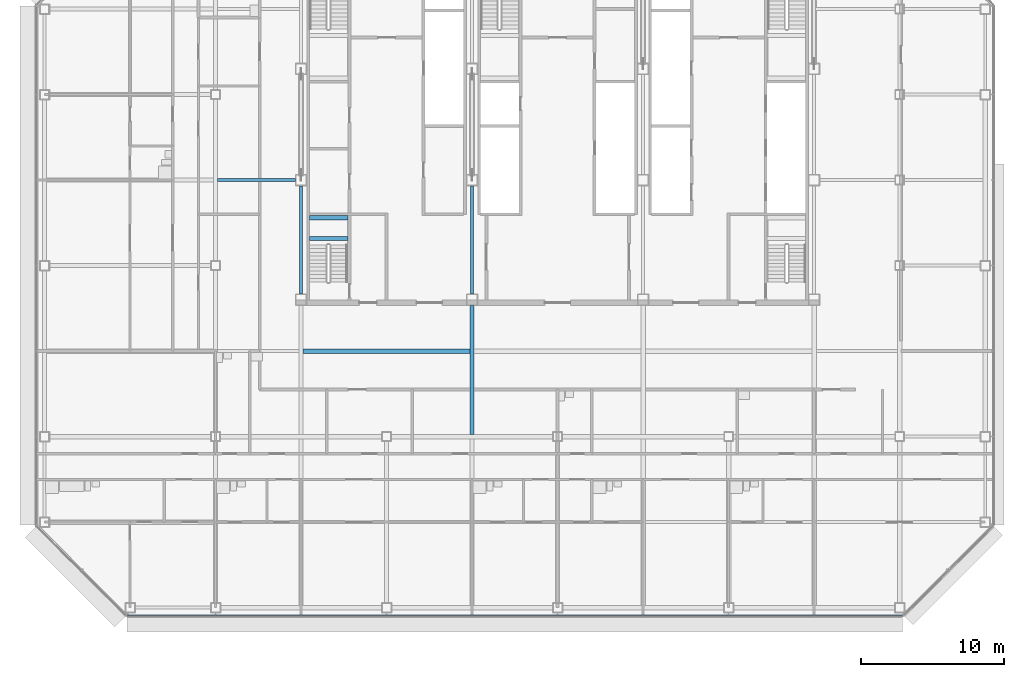
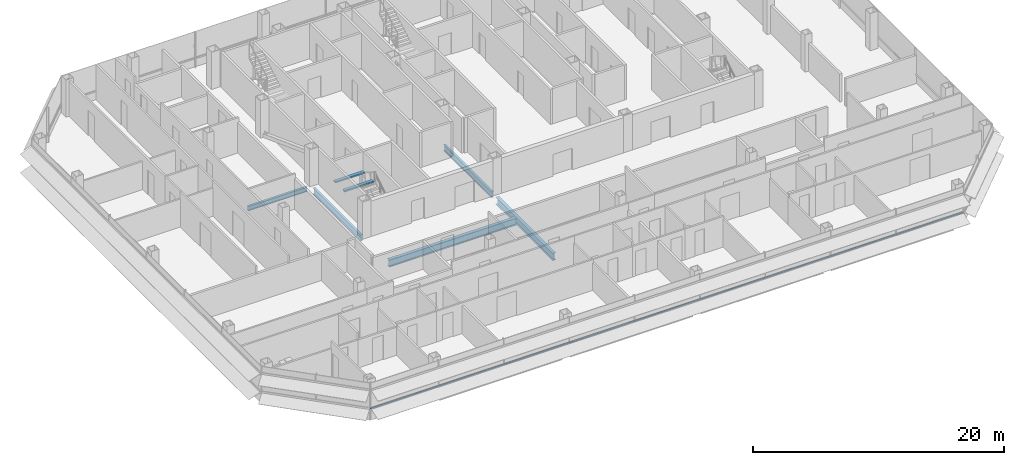
# One storey, part 7 of 27: 7 beams, 1 member, 1 element without a shape of its own.
"""IFC4 building model written with IfcOpenShell, lengths in metres."""

from ifc_helpers import new_model, si_unit, direction, frame, origin, origin_2d, place, context, subcontext, project, spatial, rectangle, i_section, extrude, material, material_profile, profile_set, type_object, element, aggregate, save


model = new_model("IFC4")

# Units and contexts
model_context = context("Model", 3, precision=1e-05, world=origin(), true_north=direction((0.0, 1.0)))
body_context = subcontext(model_context, "Body", "Model", "MODEL_VIEW")
ifc_project = project(units=[si_unit("LENGTHUNIT", "METRE"), si_unit("AREAUNIT", "SQUARE_METRE"), si_unit("VOLUMEUNIT", "CUBIC_METRE"), si_unit("PLANEANGLEUNIT", "RADIAN"), si_unit("MASSUNIT", "GRAM", prefix="KILO")], contexts=[model_context])

# Site, building, storey
site_placement = place(None, origin())
site = spatial("IfcSite", under=ifc_project, at=site_placement, CompositionType="ELEMENT")
building_placement = place(site_placement, origin())
building = spatial("IfcBuilding", under=site, at=building_placement, Name="Sorahane Residences", CompositionType="ELEMENT")
storey_placement = place(building_placement, frame((0.0, 0.0, 195.60009765625)))
storey = spatial("IfcBuildingStorey", under=building, at=storey_placement, Name="L45", CompositionType="ELEMENT", Elevation=195.60009765625)

# Curtain wall, member
ifc_material_1 = material(Name="Dark low-e glass and black anodised aluminium", Category="aluminium")
curtain_wall_type = type_object("IfcCurtainWallType", Name="Curtain wall CW-1 Typical unitised wall", PredefinedType="NOTDEFINED", material=ifc_material_1)
curtain_wall_placement = place(storey_placement, origin())
curtain_wall = element("IfcCurtainWall", 1, at=curtain_wall_placement, inside=storey, type_object=curtain_wall_type, Name="CW-1 curtain wall L45 S1", PredefinedType="NOTDEFINED")
ifc_material_2 = material(Name="Black anodised aluminium", Category="aluminium")
ifc_material_profile_1 = material_profile(ifc_material_2, rectangle(XDim=0.10009765625, YDim=0.06005859375, at=origin_2d()), Name="Curtain wall transom CW-1 black anodised aluminium 60x100")
ifc_profile_set_1 = profile_set([ifc_material_profile_1], Name="Black anodised aluminium")
member_type = type_object("IfcMemberType", Name="Curtain wall transom CW-1 black anodised aluminium 60x100", PredefinedType="USERDEFINED", material=ifc_profile_set_1)
member_placement = place(storey_placement, frame((-6.198486328125, -0.530029296875, 0.89990234375), z_axis=(1.0, 0.0, 0.0), x_axis=(0.0, 1.0, 0.0)))
member = element("IfcMember", 2, at=member_placement, type_object=member_type, Name="CW-1 transom L45 S1", ObjectType="TRANSOM", PredefinedType="USERDEFINED", context=body_context, shape_type="SweptSolid", body=[
    extrude(rectangle(XDim=0.10009765625, YDim=0.06005859375, at=origin_2d()), origin(), (0.0, 0.0, 1.0), 54.39697265625),
])
aggregate(curtain_wall, [member])

# Beams
ifc_material_3 = material(Name="Concrete C40", Category="concrete")
ifc_material_profile_2 = material_profile(ifc_material_3, rectangle(XDim=0.300048828125, YDim=0.139892578125, at=origin_2d()), Name="300x140")
ifc_profile_set_2 = profile_set([ifc_material_profile_2], Name="Concrete C40")
beam_type_1 = type_object("IfcBeamType", Name="RC landing beam 300 x 140 Concrete C40", PredefinedType="BEAM", material=ifc_profile_set_2)
for number, where, z_axis, x_axis, name in (
    (3, (6.60009765625, 25.89990234375, 1.52978515625), (1.0, 0.0, 0.0), (0.0, 1.0, 0.0), "Landing beam"),
    (4, (6.60009765625, 27.35009765625, 1.52978515625), (1.0, 0.0, 0.0), (0.0, 1.0, 0.0), "Landing beam"),
):
    element("IfcBeam", number, at=place(storey_placement, frame(where, z_axis=z_axis, x_axis=x_axis)), inside=storey, type_object=beam_type_1, Name=name, PredefinedType="BEAM", context=body_context, shape_type="SweptSolid", body=[
        extrude(rectangle(XDim=0.300048828125, YDim=0.139892578125, at=origin_2d()), origin(), (0.0, 0.0, 1.0), 2.699951171875),
    ])
ifc_material_4 = material(Name="Steel Q355B", Category="steel")
ifc_material_profile_3 = material_profile(ifc_material_4, i_section(OverallWidth=0.199951171875, OverallDepth=0.449951171875, WebThickness=0.009033203125, FlangeThickness=0.013916015625, FilletRadius=0.02001953125, at=origin_2d()), Name="HN 450x200x9x14")
ifc_profile_set_3 = profile_set([ifc_material_profile_3], Name="Steel Q355B")
beam_type_2 = type_object("IfcBeamType", Name="Steel floor beam HN 450x200x9x14 Q355B", PredefinedType="BEAM", material=ifc_profile_set_3)
beam_1_placement = place(storey_placement, frame((0.14990234375, 30.0, -0.405029296875), z_axis=(1.0, 0.0, 0.0), x_axis=(0.0, 1.0, 0.0)))
element("IfcBeam", 5, at=beam_1_placement, inside=storey, type_object=beam_type_2, Name="Beam L45 086", PredefinedType="BEAM", context=body_context, shape_type="SweptSolid", body=[
    extrude(i_section(OverallWidth=0.199951171875, OverallDepth=0.449951171875, WebThickness=0.009033203125, FlangeThickness=0.013916015625, FilletRadius=0.02001953125, at=origin_2d()), origin(), (0.0, 0.0, 1.0), 5.4501953125),
])
ifc_material_5 = material(Name="Steel Q355B", Category="steel")
ifc_material_profile_4 = material_profile(ifc_material_5, i_section(OverallWidth=0.199951171875, OverallDepth=0.60009765625, WebThickness=0.010986328125, FlangeThickness=0.01708984375, FilletRadius=0.02392578125, at=origin_2d()), Name="HN 600x200x11x17")
ifc_profile_set_4 = profile_set([ifc_material_profile_4], Name="Steel Q355B")
beam_type_3 = type_object("IfcBeamType", Name="Steel floor beam HN 600x200x11x17 Q355B", PredefinedType="BEAM", material=ifc_profile_set_4)
for number, where, z_axis, x_axis, name in (
    (6, (6.0, 22.0, -0.47998046875), (0.0, 1.0, 0.0), (-1.0, 0.0, 0.0), "Beam L45 030"),
    (7, (18.0, 22.0, -0.47998046875), (0.0, 1.0, 0.0), (-1.0, 0.0, 0.0), "Beam L45 038"),
):
    element("IfcBeam", number, at=place(storey_placement, frame(where, z_axis=z_axis, x_axis=x_axis)), inside=storey, type_object=beam_type_3, Name=name, PredefinedType="BEAM", context=body_context, shape_type="SweptSolid", body=[
        extrude(i_section(OverallWidth=0.199951171875, OverallDepth=0.60009765625, WebThickness=0.010986328125, FlangeThickness=0.01708984375, FilletRadius=0.02392578125, at=origin_2d()), origin(), (0.0, 0.0, 1.0), 7.60009765625),
    ])
ifc_material_6 = material(Name="Steel Q355B", Category="steel")
ifc_material_profile_5 = material_profile(ifc_material_6, i_section(OverallWidth=0.300048828125, OverallDepth=0.699951171875, WebThickness=0.012939453125, FlangeThickness=0.02392578125, FilletRadius=0.028076171875, at=origin_2d()), Name="HN 700x300x13x24")
ifc_profile_set_5 = profile_set([ifc_material_profile_5], Name="Steel Q355B")
beam_type_4 = type_object("IfcBeamType", Name="Steel floor beam HN 700x300x13x24 Q355B", PredefinedType="BEAM", material=ifc_profile_set_5)
beam_2_placement = place(storey_placement, frame((18.0, 12.14990234375, -0.530029296875), z_axis=(0.0, 1.0, 0.0), x_axis=(-1.0, 0.0, 0.0)))
element("IfcBeam", 8, at=beam_2_placement, inside=storey, type_object=beam_type_4, Name="Beam L45 037", PredefinedType="BEAM", context=body_context, shape_type="SweptSolid", body=[
    extrude(i_section(OverallWidth=0.300048828125, OverallDepth=0.699951171875, WebThickness=0.012939453125, FlangeThickness=0.02392578125, FilletRadius=0.028076171875, at=origin_2d()), origin(), (0.0, 0.0, 1.0), 9.050048828125),
])
beam_3_placement = place(storey_placement, frame((6.14990234375, 18.0, -0.530029296875), z_axis=(1.0, 0.0, 0.0), x_axis=(0.0, 1.0, 0.0)))
element("IfcBeam", 9, at=beam_3_placement, inside=storey, type_object=beam_type_4, Name="Beam L45 080", PredefinedType="BEAM", context=body_context, shape_type="SweptSolid", body=[
    extrude(i_section(OverallWidth=0.300048828125, OverallDepth=0.699951171875, WebThickness=0.012939453125, FlangeThickness=0.02392578125, FilletRadius=0.028076171875, at=origin_2d()), origin(), (0.0, 0.0, 1.0), 11.7001953125),
])

save(model, "model.ifc")
